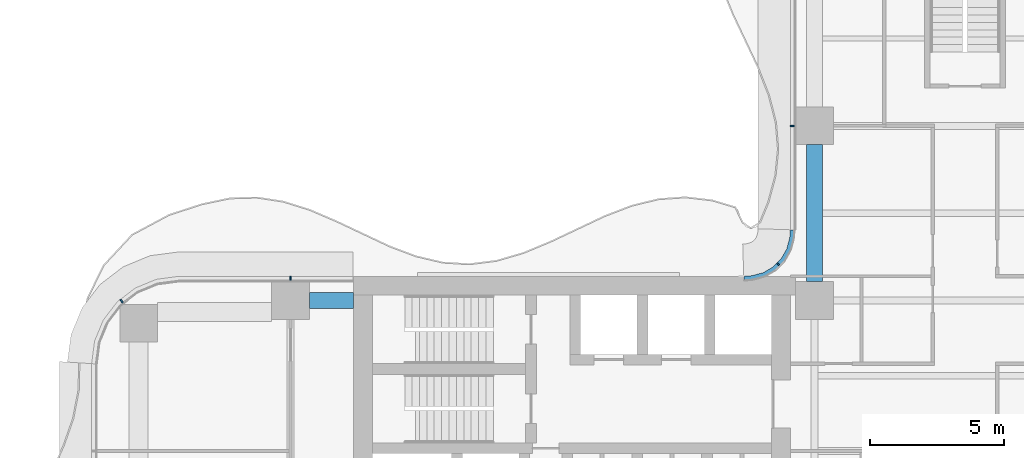
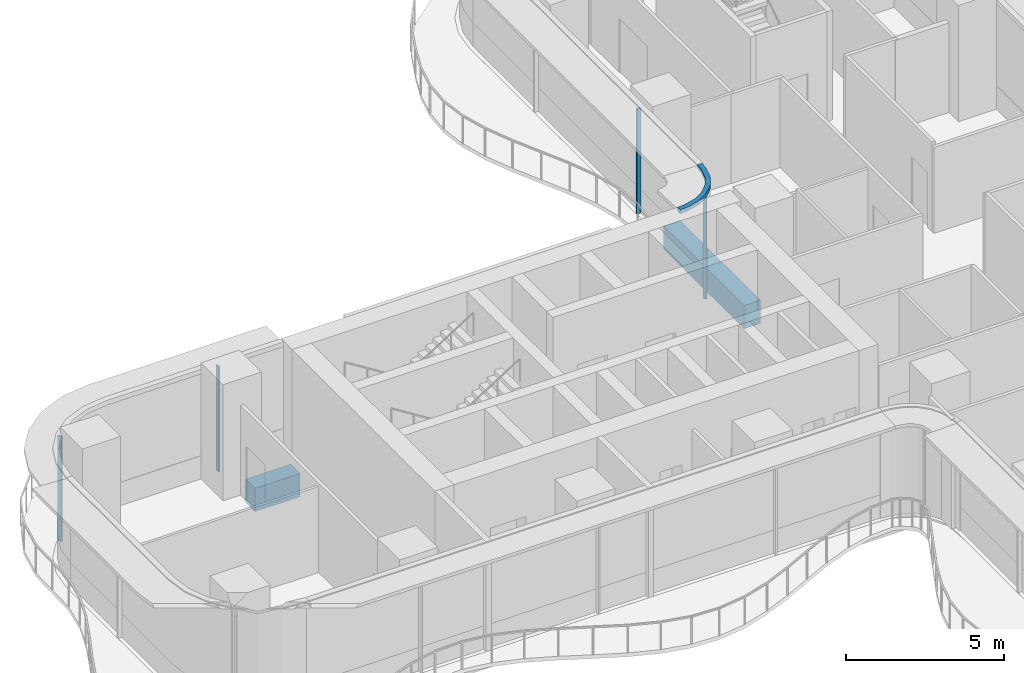
# One storey, part 8 of 23: 5 members, 2 beams, 3 elements without a shape of their own.
"""IFC4 building model written with IfcOpenShell, lengths in metres."""

from ifc_helpers import new_model, si_unit, direction, frame, origin, origin_2d, place, context, subcontext, project, spatial, polyline, rectangle, outline, extrude, source, transform, mapped, material, layer, layer_set, material_profile, profile_set, type_object, element, aggregate, save


model = new_model("IFC4")

# Units and contexts
model_context = context("Model", 3, precision=1e-05, world=origin(), true_north=direction((0.0, 1.0)))
body_context = subcontext(model_context, "Body", "Model", "MODEL_VIEW")
ifc_project = project(units=[si_unit("LENGTHUNIT", "METRE"), si_unit("AREAUNIT", "SQUARE_METRE"), si_unit("VOLUMEUNIT", "CUBIC_METRE"), si_unit("PLANEANGLEUNIT", "RADIAN"), si_unit("MASSUNIT", "GRAM", prefix="KILO")], contexts=[model_context])

# Site, building, storey
site_placement = place(None, origin())
site = spatial("IfcSite", under=ifc_project, at=site_placement, CompositionType="ELEMENT")
building_placement = place(site_placement, origin())
building = spatial("IfcBuilding", under=site, at=building_placement, Name="Trellis Farm Tower", CompositionType="ELEMENT")
storey_placement = place(building_placement, frame((0.0, 0.0, 74.5)))
storey = spatial("IfcBuildingStorey", under=building, at=storey_placement, Name="L15", CompositionType="ELEMENT", Elevation=74.5)

# Beams
ifc_material_1 = material(Name="Concrete C60/75", Category="concrete")
ifc_material_profile_1 = material_profile(ifc_material_1, rectangle(XDim=0.60009765625, YDim=0.89990234375, at=origin_2d()), Name="RC spandrel beam 600x900 C60/75")
ifc_profile_set_1 = profile_set([ifc_material_profile_1], Name="Concrete C60/75")
beam_type = type_object("IfcBeamType", Name="RC spandrel beam 600x900 C60/75", PredefinedType="SPANDREL", material=ifc_profile_set_1)
shared_shape_1 = source(origin(), body_context, "Body", "SweptSolid", [
    extrude(rectangle(XDim=0.60009765625, YDim=0.89990234375, at=origin_2d()), origin(), (0.0, 0.0, 1.0), 5.099853515625),
])
beam_1_placement = place(storey_placement, frame((-5.60009765625, 6.300048828125, -0.699951171875), z_axis=(0.0, 1.0, 0.0), x_axis=(-1.0, 0.0, 0.0)))
element("IfcBeam", 1, at=beam_1_placement, inside=storey, type_object=beam_type, Name="Girder", PredefinedType="SPANDREL", context=body_context, shape_type="MappedRepresentation", body=[
    mapped(shared_shape_1, transform((0.0, 0.0, 0.0))),
])
shared_shape_2 = source(origin(), body_context, "Body", "SweptSolid", [
    extrude(rectangle(XDim=0.60009765625, YDim=0.89990234375, at=origin_2d()), origin(), (0.0, 0.0, 1.0), 1.64990234375),
])
beam_2_placement = place(storey_placement, frame((-24.39990234375, 5.60009765625, -0.699951171875), z_axis=(1.0, 0.0, 0.0), x_axis=(0.0, 1.0, 0.0)))
element("IfcBeam", 2, at=beam_2_placement, inside=storey, type_object=beam_type, Name="Girder", PredefinedType="SPANDREL", context=body_context, shape_type="MappedRepresentation", body=[
    mapped(shared_shape_2, transform((0.0, 0.0, 0.0))),
])

# Curtain wall, member
ifc_material_2 = material(Name="Aluminium and glass curtain wall", Category="aluminium")
ifc_layer_1 = layer(ifc_material_2, 0.18994140625)
ifc_layer_set_1 = layer_set([ifc_layer_1], Name="RIBBON CURTAIN WALL CW1")
curtain_wall_type_1 = type_object("IfcCurtainWallType", Name="RIBBON CURTAIN WALL CW1", PredefinedType="NOTDEFINED", material=ifc_layer_set_1)
placement = place(storey_placement, origin())
curtain_wall_1 = element("IfcCurtainWall", 3, at=placement, inside=storey, type_object=curtain_wall_type_1, Name="CW1 011", PredefinedType="NOTDEFINED")
ifc_material_3 = material(Name="Aluminium extrusion 6063-T6", Category="aluminium")
ifc_material_profile_2 = material_profile(ifc_material_3, rectangle(XDim=0.06005859375, YDim=0.14990234375, at=origin_2d()), Name="MULLION 60x150")
ifc_profile_set_2 = profile_set([ifc_material_profile_2], Name="Aluminium extrusion 6063-T6")
member_type_1 = type_object("IfcMemberType", Name="CW1 MULLION 60x150", PredefinedType="MULLION", material=ifc_profile_set_2)
shared_shape_3 = source(origin(), body_context, "Body", "SweptSolid", [
    extrude(rectangle(XDim=0.06005859375, YDim=0.14990234375, at=origin_2d()), origin(), (0.0, 0.0, 1.0), 4.070068359375),
])
member_1_placement = place(storey_placement, frame((-6.425048828125, 12.10009765625, 0.0), z_axis=(0.0, 0.0, 1.0), x_axis=(0.0, -1.0, 0.0)))
member_1 = element("IfcMember", 4, at=member_1_placement, type_object=member_type_1, Name="MU1 011-02", PredefinedType="MULLION", context=body_context, shape_type="MappedRepresentation", body=[
    mapped(shared_shape_3, transform((0.0, 0.0, 0.0))),
])
aggregate(curtain_wall_1, [member_1])

# Curtain wall, members
curtain_wall_2 = element("IfcCurtainWall", 5, at=placement, inside=storey, type_object=curtain_wall_type_1, Name="CW1 012", PredefinedType="NOTDEFINED")
member_2_placement = place(storey_placement, frame((-25.10009765625, 6.425048828125, 0.0), z_axis=(0.0, 0.0, 1.0), x_axis=(-1.0, 0.0, 0.0)))
member_2 = element("IfcMember", 6, at=member_2_placement, type_object=member_type_1, Name="MU1 012-01", PredefinedType="MULLION", context=body_context, shape_type="MappedRepresentation", body=[
    mapped(shared_shape_3, transform((0.0, 0.0, 0.0))),
])
member_3_placement = place(storey_placement, frame((-31.385498046875, 5.578369140625, 0.0), z_axis=(0.0, 0.0, 1.0), x_axis=(-0.793353340291, -0.608761429009, 0.0)))
member_3 = element("IfcMember", 7, at=member_3_placement, type_object=member_type_1, Name="MU1 012-02", PredefinedType="MULLION", context=body_context, shape_type="MappedRepresentation", body=[
    mapped(shared_shape_3, transform((0.0, 0.0, 0.0))),
])
aggregate(curtain_wall_2, [member_2, member_3])

ifc_layer_2 = layer(ifc_material_2, 0.166015625)
ifc_layer_set_2 = layer_set([ifc_layer_2], Name="WINTER GARDEN CURTAIN WALL CW3")
curtain_wall_type_2 = type_object("IfcCurtainWallType", Name="WINTER GARDEN CURTAIN WALL CW3", PredefinedType="NOTDEFINED", material=ifc_layer_set_2)
curtain_wall_3 = element("IfcCurtainWall", 8, at=placement, inside=storey, type_object=curtain_wall_type_2, Name="CW3 004", PredefinedType="NOTDEFINED")
ifc_material_profile_3 = material_profile(ifc_material_3, rectangle(XDim=0.050048828125, YDim=0.1201171875, at=origin_2d()), Name="MULLION 50x120")
ifc_profile_set_3 = profile_set([ifc_material_profile_3], Name="Aluminium extrusion 6063-T6")
member_type_2 = type_object("IfcMemberType", Name="CW3 MULLION 50x120", PredefinedType="MULLION", material=ifc_profile_set_3)
shared_shape_4 = source(origin(), body_context, "Body", "SweptSolid", [
    extrude(rectangle(XDim=0.050048828125, YDim=0.1201171875, at=origin_2d()), origin(), (0.0, 0.0, 1.0), 4.10009765625),
])
member_4_placement = place(storey_placement, frame((-6.953125, 6.953125, 0.0), z_axis=(0.0, 0.0, 1.0), x_axis=(-0.707106781187, -0.707106781187, 0.0)))
member_4 = element("IfcMember", 9, at=member_4_placement, type_object=member_type_2, Name="MU3 004-01", PredefinedType="MULLION", context=body_context, shape_type="MappedRepresentation", body=[
    mapped(shared_shape_4, transform((0.0, 0.0, 0.0))),
])
ifc_layer_3 = layer(ifc_material_3, 0.169921875)
ifc_layer_set_3 = layer_set([ifc_layer_3], Name="Aluminium extrusion 6063-T6")
member_type_3 = type_object("IfcMemberType", Name="CW3 TRANSOM 170x150", PredefinedType="USERDEFINED", material=ifc_layer_set_3)
shared_shape_5 = source(origin(), body_context, "Body", "SweptSolid", [
    extrude(outline(polyline([(-6.5, 8.2314453125), (-6.513916015625, 8.01953125), (-6.527587890625, 7.91552734375), (-6.63671875, 7.508544921875), (-6.846923828125, 7.144287109375), (-7.144287109375, 6.846923828125), (-7.508544921875, 6.63671875), (-7.91552734375, 6.527587890625), (-8.01953125, 6.513916015625), (-8.2314453125, 6.5), (-8.225830078125, 6.330078125), (-8.0029296875, 6.3447265625), (-7.88232421875, 6.360595703125), (-7.44287109375, 6.478271484375), (-7.0400390625, 6.7109375), (-6.7109375, 7.0400390625), (-6.478271484375, 7.44287109375), (-6.360595703125, 7.88232421875), (-6.3447265625, 8.0029296875), (-6.330078125, 8.225830078125), (-6.5, 8.2314453125)])), origin(), (0.0, 0.0, 1.0), 0.14990234375),
])
member_5_placement = place(storey_placement, frame((0.0, 0.0, 4.10009765625)))
member_5 = element("IfcMember", 10, at=member_5_placement, type_object=member_type_3, Name="TR3 004", ObjectType="TRANSOM", PredefinedType="USERDEFINED", context=body_context, shape_type="MappedRepresentation", body=[
    mapped(shared_shape_5, transform((0.0, 0.0, 0.0))),
])
aggregate(curtain_wall_3, [member_4, member_5])

save(model, "model.ifc")
